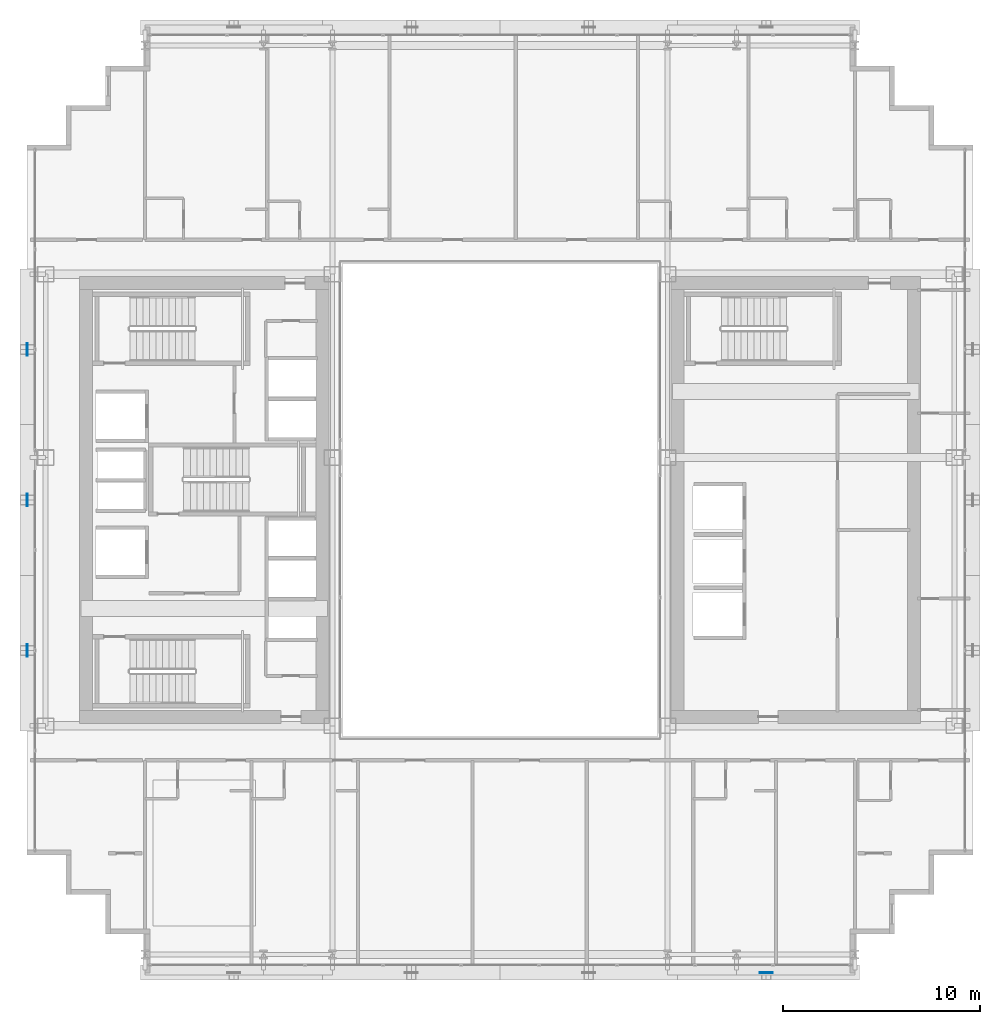
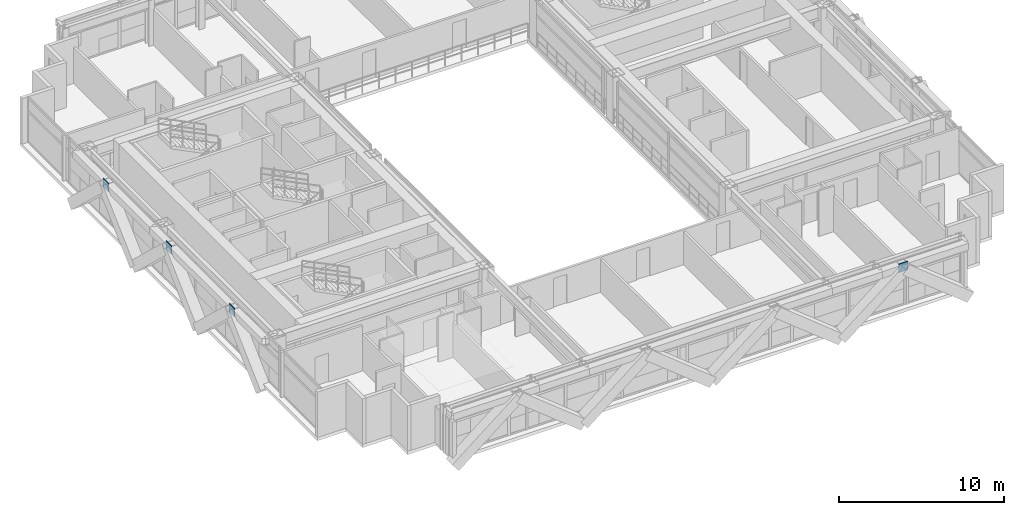
# One storey, part 29 of 39: 4 plates.
"""IFC4 building model written with IfcOpenShell, lengths in metres."""

import ifcopenshell
import ifcopenshell.guid

model = None  # the IFC model being written
_history = None  # IfcOwnerHistory: only IFC2X3 demands one
_inside = {}  # id of a spatial element -> (the spatial element, [elements in it])
_under = {}  # id of a project, library or spatial element -> (it, [spatial elements below it])
_declared = {}  # id of a project -> (the project, [libraries it declares])
_typed = {}  # id of a type object -> (the type object, [elements of that type])
_made_of = {}  # id of a material, layer set ... -> (it, [elements and type objects made of it])


def new_model(schema):
    """Start an empty IFC model of exactly this schema.

    Asked for "IFC4X3", IfcOpenShell would pick the latest addendum, in which some entities
    have other attributes; the version numbers below select the first issue.
    IFC2X3 requires an IfcOwnerHistory on every rooted entity: one is made here for all.
    """
    global model, _history
    if schema == "IFC4X3":
        model = ifcopenshell.file(schema_version=(4, 3, 0, 0))
    else:
        model = ifcopenshell.file(schema=schema)
    _inside.clear()
    _under.clear()
    _declared.clear()
    _typed.clear()
    _made_of.clear()
    _history = None
    if model.schema == "IFC2X3":
        org = make("IfcOrganization", Name="unknown")
        user = make(
            "IfcPersonAndOrganization",
            ThePerson=make("IfcPerson", FamilyName="unknown"),
            TheOrganization=org,
        )
        app = make(
            "IfcApplication",
            ApplicationDeveloper=org,
            Version="unknown",
            ApplicationFullName="unknown",
            ApplicationIdentifier="unknown",
        )
        _history = make(
            "IfcOwnerHistory",
            OwningUser=user,
            OwningApplication=app,
            ChangeAction="ADDED",
            CreationDate=0,
        )
    return model


def make(cls, **values):
    """One entity of the class cls with the attributes given. An attribute that is None is left unset."""
    return model.create_entity(
        cls, **{name: value for name, value in values.items() if value is not None}
    )


def rooted(cls, **values):
    """An entity with a GlobalId (a new one), such as an element, a storey or a relation."""
    return make(cls, GlobalId=ifcopenshell.guid.new(), OwnerHistory=_history, **values)


def si_unit(unit_type, name, prefix=None):
    """IfcSIUnit, for example si_unit("LENGTHUNIT", "METRE", prefix="MILLI")."""
    return make("IfcSIUnit", UnitType=unit_type, Prefix=prefix, Name=name)


def assignment(units):
    """IfcUnitAssignment: the units of a project."""
    return None if units is None else make("IfcUnitAssignment", Units=units)


def point(xyz):
    """IfcCartesianPoint."""
    return None if xyz is None else make("IfcCartesianPoint", Coordinates=xyz)


def direction(xyz):
    """IfcDirection."""
    return None if xyz is None else make("IfcDirection", DirectionRatios=xyz)


def frame(location, z_axis=None, x_axis=None):
    """IfcAxis2Placement3D, a coordinate frame: its origin and axes. An axis left out is left unset."""
    return make(
        "IfcAxis2Placement3D",
        Location=point(location),
        Axis=direction(z_axis),
        RefDirection=direction(x_axis),
    )


def frame_2d(location, x_axis=None):
    """IfcAxis2Placement2D, a coordinate frame in the plane: its origin and x axis."""
    return make(
        "IfcAxis2Placement2D", Location=point(location), RefDirection=direction(x_axis)
    )


def origin():
    """The frame at (0, 0, 0) with its axes left unset."""
    return frame((0.0, 0.0, 0.0))


def origin_2d():
    """The frame at (0, 0) in the plane with its x axis left unset."""
    return frame_2d((0.0, 0.0))


def place(relative_to, where):
    """IfcLocalPlacement: puts the frame where relative to a parent placement (None: the world)."""
    return make(
        "IfcLocalPlacement", PlacementRelTo=relative_to, RelativePlacement=where
    )


def context(
    kind, dimensions, precision=None, world=None, true_north=None, identifier=None
):
    """IfcGeometricRepresentationContext, for example the 3D "Model" context."""
    return make(
        "IfcGeometricRepresentationContext",
        ContextIdentifier=identifier,
        ContextType=kind,
        CoordinateSpaceDimension=dimensions,
        Precision=precision,
        WorldCoordinateSystem=world,
        TrueNorth=true_north,
    )


def subcontext(parent, identifier, kind, view, scale=None):
    """IfcGeometricRepresentationSubContext, for example "Body" below "Model"."""
    return make(
        "IfcGeometricRepresentationSubContext",
        ContextIdentifier=identifier,
        ContextType=kind,
        ParentContext=parent,
        TargetScale=scale,
        TargetView=view,
    )


def project(units=None, contexts=None):
    """IfcProject with its units and contexts."""
    return rooted(
        "IfcProject",
        Name="project",
        RepresentationContexts=contexts,
        UnitsInContext=assignment(units),
    )


def spatial(cls, under=None, at=None, **own):
    """A site, building, storey or space (cls), placed at a placement, below another one or the project."""
    s = rooted(cls, ObjectPlacement=at, **own)
    if under is not None:
        _under.setdefault(under.id(), (under, []))[1].append(s)
    return s


def profile(cls, at=None, kind="AREA", **sizes):
    """A parametric profile (cls). Its sizes go by their IFC names, for example OverallWidth=200.0."""
    return make(cls, ProfileType=kind, Position=at, **sizes)


def rectangle(**sizes):
    """IfcRectangleProfileDef."""
    return profile("IfcRectangleProfileDef", **sizes)


def extrude(swept, where, along, depth):
    """IfcExtrudedAreaSolid: the profile swept, set in the frame where, extruded along a direction by depth."""
    return make(
        "IfcExtrudedAreaSolid",
        SweptArea=swept,
        Position=where,
        ExtrudedDirection=direction(along),
        Depth=depth,
    )


def shape(context_of_items, identifier, shape_type, items):
    """IfcShapeRepresentation: the items that make up one representation, for example the "Body"."""
    return make(
        "IfcShapeRepresentation",
        ContextOfItems=context_of_items,
        RepresentationIdentifier=identifier,
        RepresentationType=shape_type,
        Items=items,
    )


def source(mapping_origin, context_of_items, identifier, shape_type, items):
    """IfcRepresentationMap: a shape defined once, which mapped items show again and again."""
    return make(
        "IfcRepresentationMap",
        MappingOrigin=mapping_origin,
        MappedRepresentation=shape(context_of_items, identifier, shape_type, items),
    )


def transform(
    local_origin,
    x_axis=None,
    y_axis=None,
    z_axis=None,
    scale=None,
    scale2=None,
    scale3=None,
    uniform=True,
):
    """IfcCartesianTransformationOperator3D, or its non-uniform kind. x_axis, y_axis, z_axis: its Axis1, 2, 3."""
    if uniform:
        return make(
            "IfcCartesianTransformationOperator3D",
            Axis1=direction(x_axis),
            Axis2=direction(y_axis),
            LocalOrigin=point(local_origin),
            Scale=scale,
            Axis3=direction(z_axis),
        )
    return make(
        "IfcCartesianTransformationOperator3DnonUniform",
        Axis1=direction(x_axis),
        Axis2=direction(y_axis),
        LocalOrigin=point(local_origin),
        Scale=scale,
        Axis3=direction(z_axis),
        Scale2=scale2,
        Scale3=scale3,
    )


def mapped(mapping_source, mapping_target):
    """IfcMappedItem: shows the shape of a source again, moved by a transform."""
    return make(
        "IfcMappedItem", MappingSource=mapping_source, MappingTarget=mapping_target
    )


def material(Name=None, Category=None):
    """IfcMaterial."""
    return make("IfcMaterial", Name=Name, Category=Category)


def layer(
    of_material, thickness, ventilated=None, Name=None, Category=None, Priority=None
):
    """IfcMaterialLayer: one layer of a wall or slab, of a material (None: an air gap)."""
    return make(
        "IfcMaterialLayer",
        Material=of_material,
        LayerThickness=thickness,
        IsVentilated=ventilated,
        Name=Name,
        Category=Category,
        Priority=Priority,
    )


def layer_set(layers, Name=None):
    """IfcMaterialLayerSet."""
    return make("IfcMaterialLayerSet", MaterialLayers=layers, LayerSetName=Name)


def made_of(thing, what):
    """Note that an element or type object is made of a material, layer set ...; save() writes the relation."""
    if what is not None:
        _made_of.setdefault(what.id(), (what, []))[1].append(thing)
    return thing


def type_object(cls, material=None, **own):
    """A type object (cls), such as IfcWallType, which elements share."""
    return made_of(rooted(cls, **own), material)


def element(
    cls,
    number,
    at=None,
    inside=None,
    cuts=None,
    type_object=None,
    material=None,
    context=None,
    identifier="Body",
    shape_type=None,
    held_by="IfcProductDefinitionShape",
    body=None,
    shapes=None,
    **own,
):
    """One element of the class cls, such as IfcWall. Its Tag is "e" and its number.

    at: its placement. inside: the storey or other place that contains it. cuts: it is an
    opening in that element (IfcRelVoidsElement). A single representation is given by context,
    identifier, shape_type and body (its items); several are given by shapes. held_by: the class
    of the entity that holds the representations. save() writes the other relations.
    """
    e = rooted(cls, Tag="e%d" % number, ObjectPlacement=at, **own)
    if body is not None:
        shapes = [shape(context, identifier, shape_type, body)]
    if shapes is not None:
        e.Representation = make(held_by, Representations=shapes)
    if inside is not None:
        _inside.setdefault(inside.id(), (inside, []))[1].append(e)
    if cuts is not None:
        rooted(
            "IfcRelVoidsElement", RelatingBuildingElement=cuts, RelatedOpeningElement=e
        )
    if type_object is not None:
        _typed.setdefault(type_object.id(), (type_object, []))[1].append(e)
    return made_of(e, material)


def aggregate(whole, parts):
    """IfcRelAggregates: a whole, such as a stair, and the parts it consists of."""
    return rooted("IfcRelAggregates", RelatingObject=whole, RelatedObjects=parts)


def save(model, path):
    """Write the relations noted so far, then the file.

    IfcRelAggregates (storeys below a building ...), IfcRelContainedInSpatialStructure (elements
    in a storey), IfcRelDefinesByType, IfcRelAssociatesMaterial and IfcRelDeclares: one each for
    every whole, place, type object, material and project.
    """
    for whole, parts in _under.values():
        aggregate(whole, parts)
    for where, things in _inside.values():
        rooted(
            "IfcRelContainedInSpatialStructure",
            RelatedElements=things,
            RelatingStructure=where,
        )
    for kind, things in _typed.values():
        rooted("IfcRelDefinesByType", RelatedObjects=things, RelatingType=kind)
    for what, things in _made_of.values():
        rooted("IfcRelAssociatesMaterial", RelatedObjects=things, RelatingMaterial=what)
    for by, libraries in _declared.values():
        rooted("IfcRelDeclares", RelatingContext=by, RelatedDefinitions=libraries)
    model.write(path)


model = new_model("IFC4")

# Units and contexts
model_context = context("Model", 3, precision=1e-05, world=origin(), true_north=direction((0.0, 1.0)))
body_context = subcontext(model_context, "Body", "Model", "MODEL_VIEW")
ifc_project = project(units=[si_unit("LENGTHUNIT", "METRE"), si_unit("AREAUNIT", "SQUARE_METRE"), si_unit("VOLUMEUNIT", "CUBIC_METRE"), si_unit("PLANEANGLEUNIT", "RADIAN"), si_unit("MASSUNIT", "GRAM", prefix="KILO")], contexts=[model_context])

# Site, building, storey
site_placement = place(None, origin())
site = spatial("IfcSite", under=ifc_project, at=site_placement, CompositionType="ELEMENT")
building_placement = place(site_placement, origin())
building = spatial("IfcBuilding", under=site, at=building_placement, Name="Ocotamira Hotel", CompositionType="ELEMENT")
storey_placement = place(building_placement, frame((0.0, 0.0, 126.0)))
storey = spatial("IfcBuildingStorey", under=building, at=storey_placement, Name="L31", CompositionType="ELEMENT", Elevation=126.0)

# Plates
ifc_material = material(Name="Pale-metal coated steel ASTM A572 Grade 50", Category="steel")
ifc_layer = layer(ifc_material, 0.0400390625)
ifc_layer_set = layer_set([ifc_layer], Name="Pale-metal coated steel ASTM A572 Grade 50")
plate_type = type_object("IfcPlateType", Name="PLT-GUSSET-40", PredefinedType="SHEET", material=ifc_layer_set)
shared_shape_1 = source(origin(), body_context, "Body", "SweptSolid", [
    extrude(rectangle(XDim=0.64990234375, YDim=0.0400390625, at=origin_2d()), origin(), (0.0, 0.0, 1.0), 0.64990234375),
])
plate_placement = place(storey_placement, frame((45.5, 2.030029296875, 2.78515625), z_axis=(0.0, 0.0, 1.0), x_axis=(1.0, 0.0, 0.0)))
element("IfcPlate", 1, at=plate_placement, inside=storey, type_object=plate_type, Name="L31 Exoskeleton Diagrid S3.1 End Gusset B", PredefinedType="SHEET", context=body_context, shape_type="MappedRepresentation", body=[
    mapped(shared_shape_1, transform((0.0, 0.0, 0.0), scale=1.0)),
])
shared_shape_2 = source(origin(), body_context, "Body", "SweptSolid", [
    extrude(rectangle(XDim=0.0400390625, YDim=0.64990234375, at=origin_2d()), origin(), (0.0, 0.0, 1.0), 0.64990234375),
])
for number, where, z_axis, x_axis, name in (
    (2, (8.030029296875, 18.36669921875, 2.78515625), (0.0, 0.0, 1.0), (1.0, 0.0, 0.0), "L31 Exoskeleton Diagrid W0.1 End Gusset B"),
    (3, (8.030029296875, 26.0, 2.78515625), (0.0, 0.0, 1.0), (1.0, 0.0, 0.0), "L31 Exoskeleton Diagrid W1.1 End Gusset B"),
    (4, (8.030029296875, 33.63330078125, 2.78515625), (0.0, 0.0, 1.0), (1.0, 0.0, 0.0), "L31 Exoskeleton Diagrid W2.1 End Gusset B"),
):
    element("IfcPlate", number, at=place(storey_placement, frame(where, z_axis=z_axis, x_axis=x_axis)), inside=storey, type_object=plate_type, Name=name, PredefinedType="SHEET", context=body_context, shape_type="MappedRepresentation", body=[
        mapped(shared_shape_2, transform((0.0, 0.0, 0.0), scale=1.0)),
    ])

save(model, "model.ifc")
